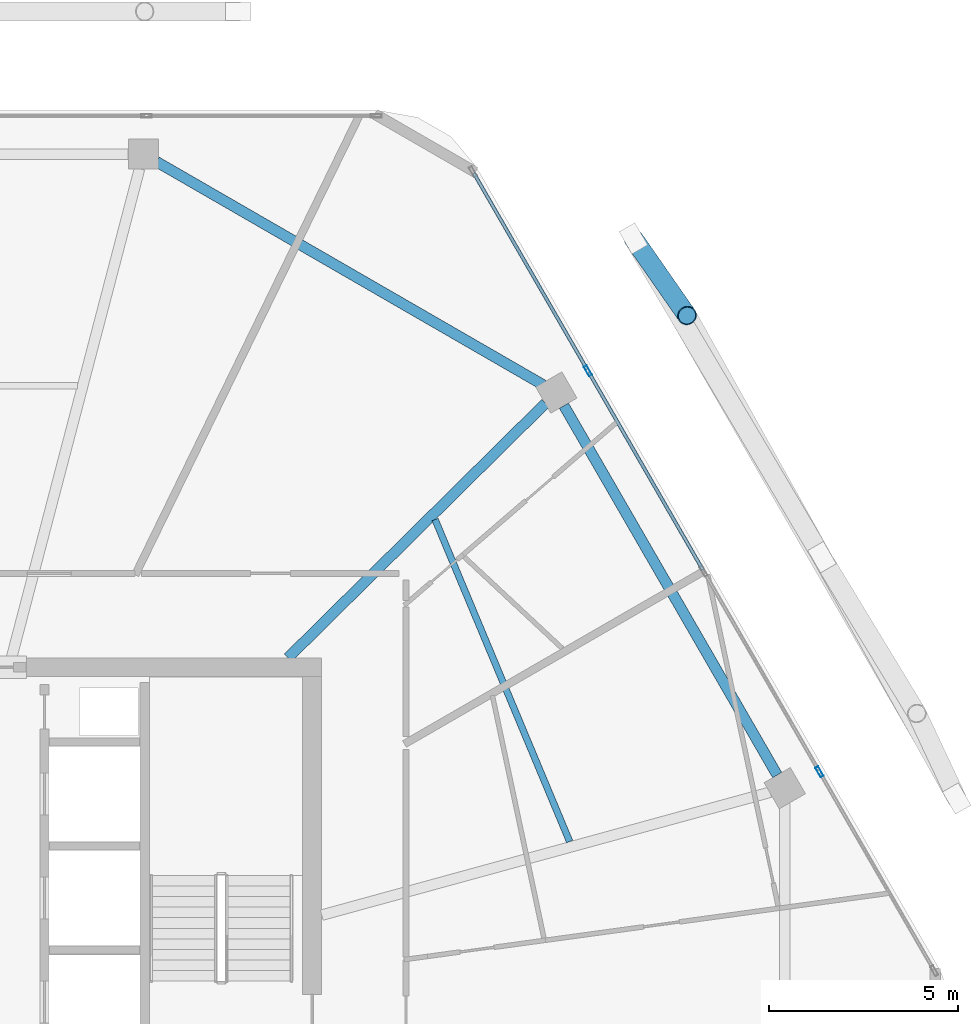
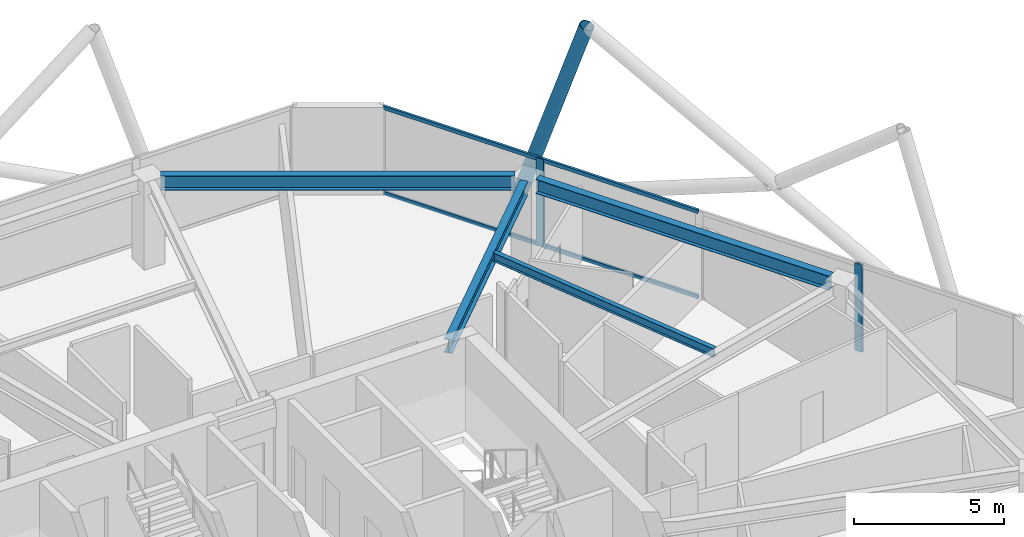
# One storey, part 12 of 23: 7 members, 4 beams, 1 element without a shape of its own.
"""IFC4 building model written with IfcOpenShell, lengths in metres."""

from ifc_helpers import new_model, si_unit, direction, frame, origin, origin_2d, place, context, subcontext, project, spatial, hollow_rectangle, hollow_circle, i_section, extrude, material, material_profile, profile_set, type_object, element, aggregate, save


model = new_model("IFC4")

# Units and contexts
model_context = context("Model", 3, precision=1e-05, world=origin(), true_north=direction((0.0, 1.0)))
body_context = subcontext(model_context, "Body", "Model", "MODEL_VIEW")
ifc_project = project(units=[si_unit("LENGTHUNIT", "METRE"), si_unit("AREAUNIT", "SQUARE_METRE"), si_unit("VOLUMEUNIT", "CUBIC_METRE"), si_unit("PLANEANGLEUNIT", "RADIAN"), si_unit("MASSUNIT", "GRAM", prefix="KILO")], contexts=[model_context])

# Site, building, storey
site_placement = place(None, origin())
site = spatial("IfcSite", under=ifc_project, at=site_placement, CompositionType="ELEMENT")
building_placement = place(site_placement, origin())
building = spatial("IfcBuilding", under=site, at=building_placement, Name="Zuhravey Tower", CompositionType="ELEMENT")
storey_placement = place(building_placement, frame((0.0, 0.0, 315.800048828125)))
storey = spatial("IfcBuildingStorey", under=building, at=storey_placement, Name="L80", CompositionType="ELEMENT", Elevation=315.800048828125)

# Curtain wall, members
ifc_material_1 = material(Name="Thermally broken anodised aluminium", Category="aluminium")
curtain_wall_type = type_object("IfcCurtainWallType", Name="Zone 3-4 High-Rise Curtain Wall CW4", PredefinedType="NOTDEFINED", material=ifc_material_1)
curtain_wall_placement = place(storey_placement, origin())
curtain_wall = element("IfcCurtainWall", 1, at=curtain_wall_placement, inside=storey, type_object=curtain_wall_type, Name="L80 CW4 CW-L80-F1-1", PredefinedType="NOTDEFINED")
ifc_material_2 = material(Name="Anodised aluminium", Category="aluminium")
ifc_material_profile_1 = material_profile(ifc_material_2, hollow_rectangle(XDim=0.090087890625, YDim=0.284912109375, WallThickness=0.0048828125, at=origin_2d()), Name="ALU-RHS-90x285x5")
ifc_profile_set_1 = profile_set([ifc_material_profile_1], Name="Anodised aluminium")
member_type_1 = type_object("IfcMemberType", Name="Curtain-Wall Mullion 90x180", PredefinedType="MULLION", material=ifc_profile_set_1)
member_1_placement = place(storey_placement, frame((53.788818359375, 49.3369140625, 0.0), z_axis=(0.0, 0.0, 1.0), x_axis=(0.866025511541, 0.49999981336, 0.0)))
member_1 = element("IfcMember", 2, at=member_1_placement, type_object=member_type_1, Name="CW4 mullion 2", PredefinedType="MULLION", context=body_context, shape_type="SweptSolid", body=[
    extrude(hollow_rectangle(XDim=0.090087890625, YDim=0.284912109375, WallThickness=0.0048828125, at=origin_2d()), origin(), (0.0, 0.0, 1.0), 3.550048828125),
])
member_2_placement = place(storey_placement, frame((59.90869140625, 38.7373046875, 0.0), z_axis=(0.0, 0.0, 1.0), x_axis=(0.866025511541, 0.49999981336, 0.0)))
member_2 = element("IfcMember", 3, at=member_2_placement, type_object=member_type_1, Name="CW4 mullion 4", PredefinedType="MULLION", context=body_context, shape_type="SweptSolid", body=[
    extrude(hollow_rectangle(XDim=0.090087890625, YDim=0.284912109375, WallThickness=0.0048828125, at=origin_2d()), origin(), (0.0, 0.0, 1.0), 3.550048828125),
])
ifc_material_profile_2 = material_profile(ifc_material_2, hollow_rectangle(XDim=0.090087890625, YDim=0.14990234375, WallThickness=0.0048828125, at=origin_2d()), Name="ALU-RHS-90x150x5")
ifc_profile_set_2 = profile_set([ifc_material_profile_2], Name="Anodised aluminium")
member_type_2 = type_object("IfcMemberType", Name="Curtain-Wall Transom 90x150", PredefinedType="USERDEFINED", material=ifc_profile_set_2)
member_3_placement = place(storey_placement, frame((50.774169921875, 54.55859375, 0.044921875), z_axis=(0.499982594807, -0.866035452444, 0.0), x_axis=(0.866035452444, 0.499982594807, 0.0)))
member_3 = element("IfcMember", 4, at=member_3_placement, type_object=member_type_2, Name="CW4 transom 1.1", ObjectType="TRANSOM", PredefinedType="USERDEFINED", context=body_context, shape_type="SweptSolid", body=[
    extrude(hollow_rectangle(XDim=0.090087890625, YDim=0.14990234375, WallThickness=0.0048828125, at=origin_2d()), origin(), (0.0, 0.0, 1.0), 5.984619140625),
])
member_4_placement = place(storey_placement, frame((50.774169921875, 54.55859375, 3.5048828125), z_axis=(0.499982594807, -0.866035452444, 0.0), x_axis=(0.866035452444, 0.499982594807, 0.0)))
member_4 = element("IfcMember", 5, at=member_4_placement, type_object=member_type_2, Name="CW4 transom 1.2", ObjectType="TRANSOM", PredefinedType="USERDEFINED", context=body_context, shape_type="SweptSolid", body=[
    extrude(hollow_rectangle(XDim=0.090087890625, YDim=0.14990234375, WallThickness=0.0048828125, at=origin_2d()), origin(), (0.0, 0.0, 1.0), 5.984619140625),
])
member_5_placement = place(storey_placement, frame((53.8115234375, 49.2978515625, 0.044921875), z_axis=(0.499971305196, -0.866041970103, 0.0), x_axis=(0.866041970103, 0.499971305196, 0.0)))
member_5 = element("IfcMember", 6, at=member_5_placement, type_object=member_type_2, Name="CW4 transom 2.1", ObjectType="TRANSOM", PredefinedType="USERDEFINED", context=body_context, shape_type="SweptSolid", body=[
    extrude(hollow_rectangle(XDim=0.090087890625, YDim=0.14990234375, WallThickness=0.0048828125, at=origin_2d()), origin(), (0.0, 0.0, 1.0), 6.029541015625),
])
member_6_placement = place(storey_placement, frame((53.8115234375, 49.2978515625, 3.5048828125), z_axis=(0.499971305196, -0.866041970103, 0.0), x_axis=(0.866041970103, 0.499971305196, 0.0)))
member_6 = element("IfcMember", 7, at=member_6_placement, type_object=member_type_2, Name="CW4 transom 2.2", ObjectType="TRANSOM", PredefinedType="USERDEFINED", context=body_context, shape_type="SweptSolid", body=[
    extrude(hollow_rectangle(XDim=0.090087890625, YDim=0.14990234375, WallThickness=0.0048828125, at=origin_2d()), origin(), (0.0, 0.0, 1.0), 6.029541015625),
])
aggregate(curtain_wall, [member_1, member_2, member_3, member_4, member_5, member_6])

# Member
ifc_material_3 = material(Name="Steel SM355", Category="steel")
ifc_material_profile_3 = material_profile(ifc_material_3, hollow_circle(Radius=0.25390625, WallThickness=0.02490234375, at=origin_2d()), Name="CHS-508.0x25")
ifc_profile_set_3 = profile_set([ifc_material_profile_3], Name="Steel SM355")
member_type_3 = type_object("IfcMemberType", Name="Exoskeleton Zone 4 Diagrid CHS508x25", PredefinedType="BRACE", material=ifc_profile_set_3)
member_7_placement = place(storey_placement, frame((54.9931640625, 52.831787109375, -0.447998046875), z_axis=(0.177924563281, -0.255636273811, 0.950259409474), x_axis=(0.820768762121, 0.571260570254, 0.0)))
element("IfcMember", 8, at=member_7_placement, inside=storey, type_object=member_type_3, Name="L80 Face 1 Diagrid Brace 4", PredefinedType="BRACE", context=body_context, shape_type="SweptSolid", body=[
    extrude(hollow_circle(Radius=0.25390625, WallThickness=0.02490234375, at=origin_2d()), origin(), (0.0, 0.0, 1.0), 7.964111328125),
])

# Beams
ifc_material_profile_4 = material_profile(ifc_material_3, i_section(OverallWidth=0.280029296875, OverallDepth=0.580078125, WebThickness=0.011962890625, FlangeThickness=0.01904296875, at=origin_2d()), Name="H-580x280x12x19")
ifc_profile_set_4 = profile_set([ifc_material_profile_4], Name="Steel SM355")
beam_type_1 = type_object("IfcBeamType", Name="Perimeter Ring Beam H580x280", PredefinedType="BEAM", material=ifc_profile_set_4)
beam_1_placement = place(storey_placement, frame((58.7919921875, 38.6513671875, 3.260009765625), z_axis=(-0.500006198144, 0.866021825255, 0.0), x_axis=(-0.866021825255, -0.500006198144, 0.0)))
element("IfcBeam", 9, at=beam_1_placement, inside=storey, type_object=beam_type_1, Name="L80 PB4 BM-L80-PB-01", PredefinedType="BEAM", context=body_context, shape_type="SweptSolid", body=[
    extrude(i_section(OverallWidth=0.280029296875, OverallDepth=0.580078125, WebThickness=0.011962890625, FlangeThickness=0.01904296875, at=origin_2d()), origin(), (0.0, 0.0, 1.0), 11.271240234375),
])
beam_2_placement = place(storey_placement, frame((52.605712890625, 48.963134765625, 3.260009765625), z_axis=(-0.866023977509, 0.500002470373, 0.0), x_axis=(-0.500002470373, -0.866023977509, 0.0)))
element("IfcBeam", 10, at=beam_2_placement, inside=storey, type_object=beam_type_1, Name="L80 PB4 BM-L80-PB-02", PredefinedType="BEAM", context=body_context, shape_type="SweptSolid", body=[
    extrude(i_section(OverallWidth=0.280029296875, OverallDepth=0.580078125, WebThickness=0.011962890625, FlangeThickness=0.01904296875, at=origin_2d()), origin(), (0.0, 0.0, 1.0), 11.798828125),
])
ifc_material_profile_5 = material_profile(ifc_material_3, i_section(OverallWidth=0.280029296875, OverallDepth=0.550048828125, WebThickness=0.010986328125, FlangeThickness=0.01806640625, at=origin_2d()), Name="H-550x280x11x18")
ifc_profile_set_5 = profile_set([ifc_material_profile_5], Name="Steel SM355")
beam_type_2 = type_object("IfcBeamType", Name="Radial Primary Girder H550x280", PredefinedType="BEAM", material=ifc_profile_set_5)
beam_3_placement = place(storey_placement, frame((45.865234375, 41.7529296875, 3.27490234375), z_axis=(0.711153035666, 0.703037239314, 0.0), x_axis=(-0.703037239314, 0.711153035666, 0.0)))
element("IfcBeam", 11, at=beam_3_placement, inside=storey, type_object=beam_type_2, Name="L80 RG4 BM-L80-RAD-02", PredefinedType="BEAM", context=body_context, shape_type="SweptSolid", body=[
    extrude(i_section(OverallWidth=0.280029296875, OverallDepth=0.550048828125, WebThickness=0.010986328125, FlangeThickness=0.01806640625, at=origin_2d()), origin(), (0.0, 0.0, 1.0), 9.566162109375),
])
ifc_material_profile_6 = material_profile(ifc_material_3, i_section(OverallWidth=0.175048828125, OverallDepth=0.35009765625, WebThickness=0.007080078125, FlangeThickness=0.010986328125, at=origin_2d()), Name="H-350x175x7x11")
ifc_profile_set_6 = profile_set([ifc_material_profile_6], Name="Steel SM355")
beam_type_3 = type_object("IfcBeamType", Name="Secondary Floor Joist H350x175", PredefinedType="JOIST", material=ifc_profile_set_6)
beam_4_placement = place(storey_placement, frame((53.307373046875, 36.891845703125, 3.375), z_axis=(-0.385657891576, 0.922641853953, 0.0), x_axis=(-0.922641853953, -0.385657891576, 0.0)))
element("IfcBeam", 12, at=beam_4_placement, inside=storey, type_object=beam_type_3, Name="L80 SJ3 BM-L80-SJ-01-1", PredefinedType="JOIST", context=body_context, shape_type="SweptSolid", body=[
    extrude(i_section(OverallWidth=0.175048828125, OverallDepth=0.35009765625, WebThickness=0.007080078125, FlangeThickness=0.010986328125, at=origin_2d()), origin(), (0.0, 0.0, 1.0), 9.226806640625),
])

save(model, "model.ifc")
